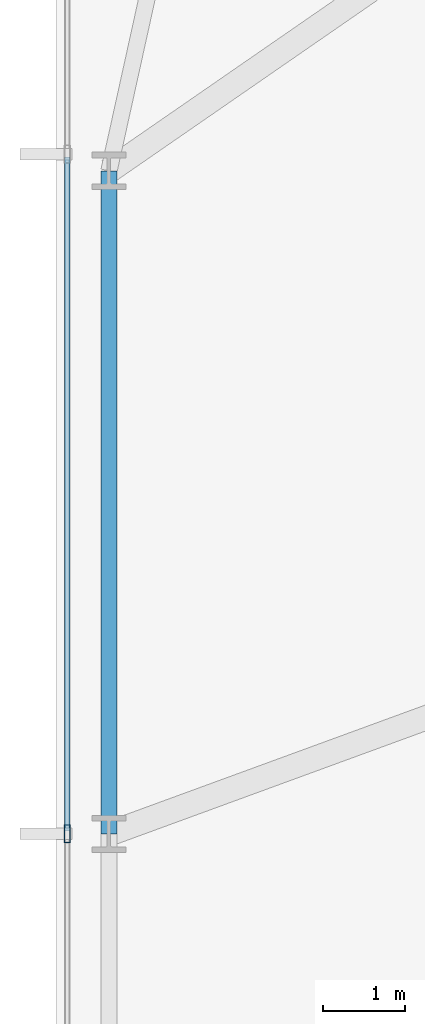
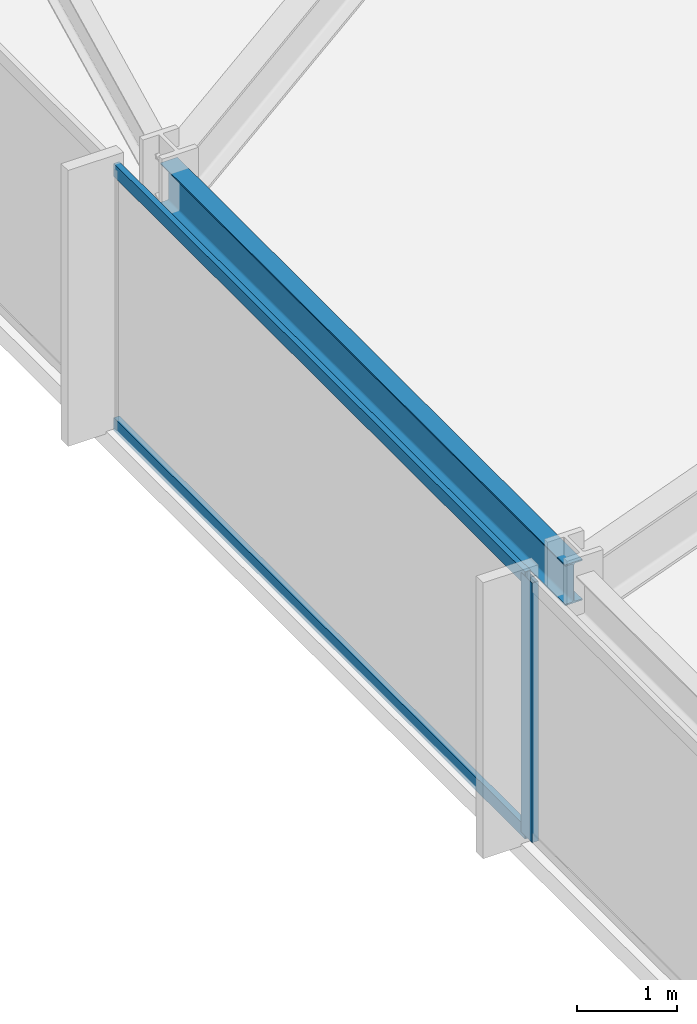
# One storey, part 7 of 33: 3 members, 1 beam, 1 element without a shape of its own.
"""IFC4 building model written with IfcOpenShell, lengths in metres."""

from ifc_helpers import new_model, si_unit, direction, frame, origin, origin_2d, place, context, subcontext, project, spatial, hollow_rectangle, i_section, extrude, material, material_profile, profile_set, type_object, element, aggregate, save


model = new_model("IFC4")

# Units and contexts
model_context = context("Model", 3, precision=1e-05, world=origin(), true_north=direction((0.0, 1.0)))
body_context = subcontext(model_context, "Body", "Model", "MODEL_VIEW")
ifc_project = project(units=[si_unit("LENGTHUNIT", "METRE"), si_unit("AREAUNIT", "SQUARE_METRE"), si_unit("VOLUMEUNIT", "CUBIC_METRE"), si_unit("PLANEANGLEUNIT", "RADIAN"), si_unit("MASSUNIT", "GRAM", prefix="KILO")], contexts=[model_context])

# Site, building, storey
site_placement = place(None, origin())
site = spatial("IfcSite", under=ifc_project, at=site_placement, CompositionType="ELEMENT")
building_placement = place(site_placement, origin())
building = spatial("IfcBuilding", under=site, at=building_placement, Name="Yelkora Congress Tower", CompositionType="ELEMENT")
storey_placement = place(building_placement, frame((0.0, 0.0, 71.199951171875)))
storey = spatial("IfcBuildingStorey", under=building, at=storey_placement, Name="L18", CompositionType="ELEMENT", Elevation=71.199951171875)

# Beam
ifc_material_1 = material(Name="Steel S355J2", Category="steel")
ifc_material_profile_1 = material_profile(ifc_material_1, i_section(OverallWidth=0.199951171875, OverallDepth=0.5, WebThickness=0.01025390625, FlangeThickness=0.01611328125, FilletRadius=0.02099609375, at=origin_2d()), Name="IPE 500")
ifc_profile_set_1 = profile_set([ifc_material_profile_1], Name="Steel S355J2")
beam_type = type_object("IfcBeamType", Name="BM-SPAN-IPE500", PredefinedType="SPANDREL", material=ifc_profile_set_1)
beam_placement = place(storey_placement, frame((6.64990234375, 37.52490234375, 2.929931640625), z_axis=(0.0, -1.0, 0.0), x_axis=(1.0, 0.0, 0.0)))
element("IfcBeam", 1, at=beam_placement, inside=storey, type_object=beam_type, Name="L18 Perimeter Beam 18", PredefinedType="SPANDREL", context=body_context, shape_type="SweptSolid", body=[
    extrude(i_section(OverallWidth=0.199951171875, OverallDepth=0.5, WebThickness=0.01025390625, FlangeThickness=0.01611328125, FilletRadius=0.02099609375, at=origin_2d()), origin(), (0.0, 0.0, 1.0), 8.125),
])

# Curtain wall, members
ifc_material_2 = material(Name="Anodised aluminium and insulated glass", Category="aluminium")
curtain_wall_type = type_object("IfcCurtainWallType", Name="CW-SYS-B1", PredefinedType="NOTDEFINED", material=ifc_material_2)
curtain_wall_placement = place(storey_placement, origin())
curtain_wall = element("IfcCurtainWall", 2, at=curtain_wall_placement, inside=storey, type_object=curtain_wall_type, Name="L18 Unitised Curtain Wall 5", PredefinedType="NOTDEFINED")
ifc_material_3 = material(Name="Anodised aluminium 6063-T6", Category="aluminium")
ifc_material_profile_2 = material_profile(ifc_material_3, hollow_rectangle(XDim=0.074951171875, YDim=0.219970703125, WallThickness=0.0048828125, at=origin_2d()), Name="ALU 75x220x5")
ifc_profile_set_2 = profile_set([ifc_material_profile_2], Name="Anodised aluminium 6063-T6")
member_type_1 = type_object("IfcMemberType", Name="MEM-ML-B1", PredefinedType="MULLION", material=ifc_profile_set_2)
member_1_placement = place(storey_placement, frame((6.139892578125, 29.39990234375, 0.0), z_axis=(0.0, 0.0, 1.0), x_axis=(-1.0, 0.0, 0.0)))
member_1 = element("IfcMember", 3, at=member_1_placement, type_object=member_type_1, Name="CW-B1 mullion 3", PredefinedType="MULLION", context=body_context, shape_type="SweptSolid", body=[
    extrude(hollow_rectangle(XDim=0.074951171875, YDim=0.219970703125, WallThickness=0.0048828125, at=origin_2d()), origin(), (0.0, 0.0, 1.0), 3.179931640625),
])
ifc_material_profile_3 = material_profile(ifc_material_3, hollow_rectangle(XDim=0.06494140625, YDim=0.159912109375, WallThickness=0.00390625, at=origin_2d()), Name="ALU 65x160x4")
ifc_profile_set_3 = profile_set([ifc_material_profile_3], Name="Anodised aluminium 6063-T6")
member_type_2 = type_object("IfcMemberType", Name="MEM-TR-B1", PredefinedType="USERDEFINED", material=ifc_profile_set_3)
member_2_placement = place(storey_placement, frame((6.139892578125, 29.4375, 0.032470703125), z_axis=(0.0, 1.0, 0.0), x_axis=(-1.0, 0.0, 0.0)))
member_2 = element("IfcMember", 4, at=member_2_placement, type_object=member_type_2, Name="CW-B1 transom 3.1", ObjectType="TRANSOM", PredefinedType="USERDEFINED", context=body_context, shape_type="SweptSolid", body=[
    extrude(hollow_rectangle(XDim=0.06494140625, YDim=0.159912109375, WallThickness=0.00390625, at=origin_2d()), origin(), (0.0, 0.0, 1.0), 8.2548828125),
])
member_3_placement = place(storey_placement, frame((6.139892578125, 29.4375, 3.1474609375), z_axis=(0.0, 1.0, 0.0), x_axis=(-1.0, 0.0, 0.0)))
member_3 = element("IfcMember", 5, at=member_3_placement, type_object=member_type_2, Name="CW-B1 transom 3.2", ObjectType="TRANSOM", PredefinedType="USERDEFINED", context=body_context, shape_type="SweptSolid", body=[
    extrude(hollow_rectangle(XDim=0.06494140625, YDim=0.159912109375, WallThickness=0.00390625, at=origin_2d()), origin(), (0.0, 0.0, 1.0), 8.2548828125),
])
aggregate(curtain_wall, [member_1, member_2, member_3])

save(model, "model.ifc")
